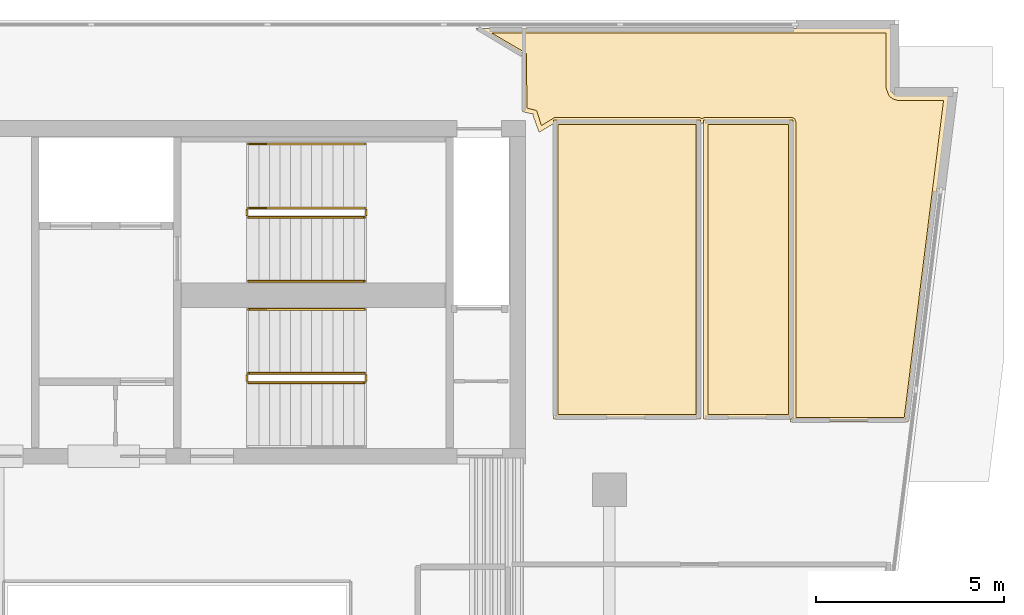
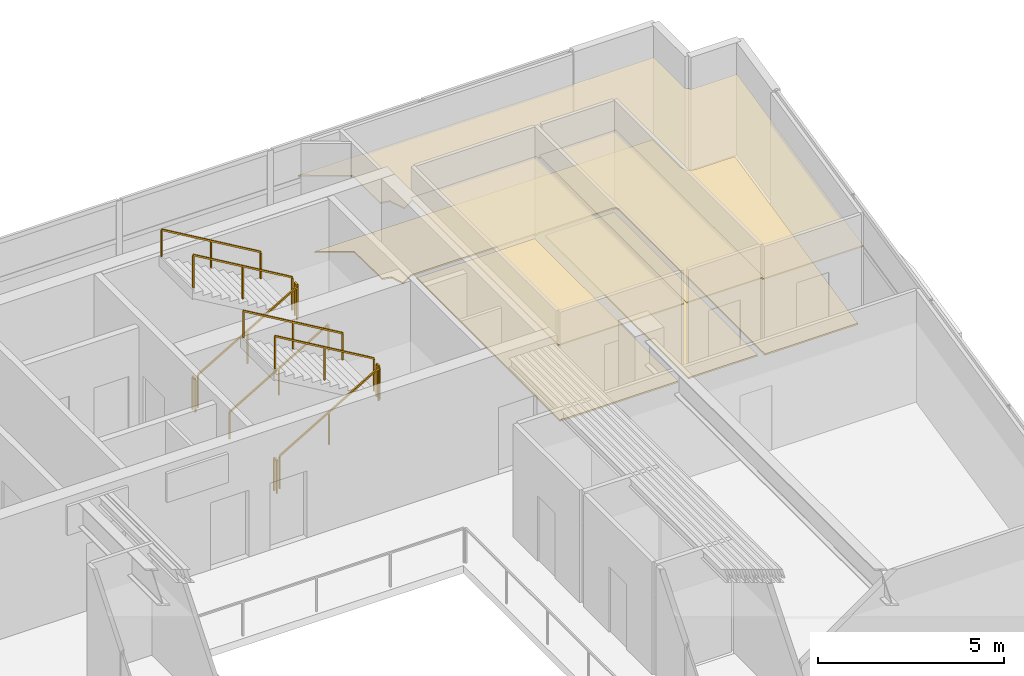
# One storey, part 8 of 8: 11 railings, 6 coverings.
"""IFC4 building model written with IfcOpenShell, lengths in metres."""

from ifc_helpers import new_model, si_unit, direction, frame, origin, origin_2d, place, context, subcontext, project, spatial, polyline, rectangle, outline, extrude, material, layer, layer_set, type_object, element, save


model = new_model("IFC4")

# Units and contexts
model_context = context("Model", 3, precision=1e-05, world=origin(), true_north=direction((0.0, 1.0)))
body_context = subcontext(model_context, "Body", "Model", "MODEL_VIEW")
ifc_project = project(units=[si_unit("LENGTHUNIT", "METRE"), si_unit("AREAUNIT", "SQUARE_METRE"), si_unit("VOLUMEUNIT", "CUBIC_METRE"), si_unit("PLANEANGLEUNIT", "RADIAN"), si_unit("MASSUNIT", "GRAM", prefix="KILO")], contexts=[model_context])

# Site, building, storey
site_placement = place(None, origin())
site = spatial("IfcSite", under=ifc_project, at=site_placement, CompositionType="ELEMENT")
building_placement = place(site_placement, origin())
building = spatial("IfcBuilding", under=site, at=building_placement, Name="Caeloran Harvest Quay", CompositionType="ELEMENT")
storey_placement = place(building_placement, frame((0.0, 0.0, 256.699951171875)))
storey = spatial("IfcBuildingStorey", under=building, at=storey_placement, Name="L61", CompositionType="ELEMENT", Elevation=256.699951171875)

# Coverings
ifc_material_1 = material(Name="Perforated Mineral-Fibre Acoustic Ceiling Tile", Category="ceiling")
ifc_layer_1 = layer(ifc_material_1, 0.0400390625, Name="Perforated Mineral-Fibre Acoustic Ceiling Tile")
ifc_layer_set_1 = layer_set([ifc_layer_1], Name="Perforated Mineral-Fibre Acoustic Ceiling Tile")
covering_type_1 = type_object("IfcCoveringType", Name="COV-CEILING-ACOUSTIC", PredefinedType="CEILING", material=ifc_layer_set_1)
covering_1_placement = place(storey_placement, frame((0.0, 0.0, 2.60009765625)))
element("IfcCovering", 1, at=covering_1_placement, inside=storey, type_object=covering_type_1, Name="L61 Crop Phenotyping West Laboratory Acoustic Ceiling", PredefinedType="CEILING", context=body_context, shape_type="SweptSolid", body=[
    extrude(outline(polyline([(27.919921875, 40.840087890625), (27.919921875, 32.8798828125), (24.010009765625, 32.8798828125), (24.010009765625, 40.840087890625), (27.919921875, 40.840087890625)])), origin(), (0.0, 0.0, 1.0), 0.0400390625),
])
covering_2_placement = place(storey_placement, frame((0.0, 0.0, 2.60009765625)))
element("IfcCovering", 2, at=covering_2_placement, inside=storey, type_object=covering_type_1, Name="L61 Genomics Sequencing East Studio Acoustic Ceiling", PredefinedType="CEILING", context=body_context, shape_type="SweptSolid", body=[
    extrude(outline(polyline([(30.389892578125, 40.840087890625), (30.389892578125, 32.8798828125), (28.0, 32.8798828125), (28.0, 40.840087890625), (30.389892578125, 40.840087890625)])), origin(), (0.0, 0.0, 1.0), 0.0400390625),
])
covering_3_placement = place(storey_placement, frame((0.0, 0.0, 2.60009765625)))
element("IfcCovering", 3, at=covering_3_placement, inside=storey, type_object=covering_type_1, Name="Private Dining Kitchen Acoustic Ceiling", PredefinedType="CEILING", context=body_context, shape_type="SweptSolid", body=[
    extrude(outline(polyline([(23.18994140625, 42.5400390625), (23.158203125, 42.5400390625), (21.923583984375, 43.280029296875), (32.97998046875, 43.280029296875), (32.97998046875, 41.700927734375), (32.989501953125, 41.63623046875), (33.030029296875, 41.560546875), (33.09619140625, 41.506103515625), (33.178466796875, 41.481201171875), (34.527587890625, 41.47998046875), (33.451416015625, 32.81005859375), (30.320068359375, 32.81005859375), (30.320068359375, 32.919921875), (30.340087890625, 32.927001953125), (30.340087890625, 40.7900390625), (28.049560546875, 40.7900390625), (28.048583984375, 40.771240234375), (27.9599609375, 40.7490234375), (27.8740234375, 40.7705078125), (27.871337890625, 40.7900390625), (24.06005859375, 40.7900390625), (24.06005859375, 40.77099609375), (23.62939453125, 40.512939453125), (23.469970703125, 40.958740234375), (23.469970703125, 41.010009765625), (23.396240234375, 41.010009765625), (23.18994140625, 41.061767578125), (23.18994140625, 42.5400390625)])), origin(), (0.0, 0.0, 1.0), 0.0400390625),
])
ifc_material_2 = material(Name="Calcium-Sulphate Raised Access Floor and Terrazzo Finish", Category="flooring")
ifc_layer_2 = layer(ifc_material_2, 0.050048828125, Name="Calcium-Sulphate Raised Access Floor and Terrazzo Finish")
ifc_layer_set_2 = layer_set([ifc_layer_2], Name="Calcium-Sulphate Raised Access Floor and Terrazzo Finish")
covering_type_2 = type_object("IfcCoveringType", Name="COV-FLOOR-RAISED", PredefinedType="FLOORING", material=ifc_layer_set_2)
covering_4_placement = place(storey_placement, origin())
element("IfcCovering", 4, at=covering_4_placement, inside=storey, type_object=covering_type_2, Name="L61 Crop Phenotyping West Laboratory Raised Finish Flooring", PredefinedType="FLOORING", context=body_context, shape_type="SweptSolid", body=[
    extrude(outline(polyline([(27.800048828125, 40.719970703125), (27.800048828125, 33.0), (24.1298828125, 33.0), (24.1298828125, 40.719970703125), (27.800048828125, 40.719970703125)])), origin(), (0.0, 0.0, 1.0), 0.050048828125),
])
covering_5_placement = place(storey_placement, origin())
element("IfcCovering", 5, at=covering_5_placement, inside=storey, type_object=covering_type_2, Name="L61 Genomics Sequencing East Studio Raised Finish Flooring", PredefinedType="FLOORING", context=body_context, shape_type="SweptSolid", body=[
    extrude(outline(polyline([(30.27001953125, 40.719970703125), (30.27001953125, 33.0), (28.1201171875, 33.0), (28.1201171875, 40.719970703125), (30.27001953125, 40.719970703125)])), origin(), (0.0, 0.0, 1.0), 0.050048828125),
])
covering_6_placement = place(storey_placement, origin())
element("IfcCovering", 6, at=covering_6_placement, inside=storey, type_object=covering_type_2, Name="Private Dining Kitchen Raised Finish Flooring", PredefinedType="FLOORING", context=body_context, shape_type="SweptSolid", body=[
    extrude(outline(polyline([(24.050048828125, 40.909912109375), (23.693115234375, 40.691162109375), (23.5625, 41.0927734375), (23.31005859375, 41.1552734375), (23.289306640625, 42.6142578125), (22.357421875, 43.159912109375), (32.860107421875, 43.159912109375), (32.860107421875, 41.696044921875), (32.939697265625, 41.481201171875), (33.043212890625, 41.3984375), (33.170654296875, 41.361328125), (34.391845703125, 41.360107421875), (33.34521484375, 32.929931640625), (30.4599609375, 32.929931640625), (30.4599609375, 40.800048828125), (30.4228515625, 40.882568359375), (30.35009765625, 40.909912109375), (28.0400390625, 40.909912109375), (27.9599609375, 40.87548828125), (27.8798828125, 40.909912109375), (24.050048828125, 40.909912109375)])), origin(), (0.0, 0.0, 1.0), 0.050048828125),
])

# Railings
ifc_material_3 = material(Name="Painted Steel Baluster and Top-Rail Stair Guard", Category="steel")
ifc_layer_3 = layer(ifc_material_3, 0.050048828125, Name="Painted Steel Baluster and Top-Rail Stair Guard")
ifc_layer_set_3 = layer_set([ifc_layer_3], Name="Painted Steel Baluster and Top-Rail Stair Guard")
railing_type_1 = type_object("IfcRailingType", Name="STAIR-GUARD-1100", PredefinedType="GUARDRAIL", material=ifc_layer_set_3)
railing_1_placement = place(storey_placement, frame((15.89990234375, 38.25, 0.16455078125)))
element("IfcRailing", 7, at=railing_1_placement, inside=storey, type_object=railing_type_1, Name="L61 ST-C1 stair guard 1", PredefinedType="GUARDRAIL", context=body_context, shape_type="SweptSolid", body=[
    extrude(rectangle(XDim=0.048095703125, YDim=0.048095703125, at=origin_2d()), frame((0.0, 0.0, 1.076171875), z_axis=(0.862088758681, 0.0, 0.506757310905), x_axis=(0.0, 1.0, 0.0)), (0.0, 0.0, 1.0), 3.57275390625),
    extrude(rectangle(XDim=0.0419921875, YDim=0.0419921875, at=origin_2d()), origin(), (0.0, 0.0, 1.0), 1.052001953125),
    extrude(rectangle(XDim=0.0419921875, YDim=0.0419921875, at=origin_2d()), frame((1.5400390625, 0.0, 0.9052734375)), (0.0, 0.0, 1.0), 1.052001953125),
    extrude(rectangle(XDim=0.0419921875, YDim=0.0419921875, at=origin_2d()), frame((3.080078125, 0.0, 1.810546875)), (0.0, 0.0, 1.0), 1.052001953125),
])
railing_2_placement = place(storey_placement, frame((19.030029296875, 38.300048828125, 1.97509765625)))
element("IfcRailing", 8, at=railing_2_placement, inside=storey, type_object=railing_type_1, Name="L61 ST-C1 stair guard 2", PredefinedType="GUARDRAIL", context=body_context, shape_type="SweptSolid", body=[
    extrude(rectangle(XDim=0.048095703125, YDim=0.048095703125, at=origin_2d()), frame((0.0, 0.0, 1.076171875), z_axis=(0.0, 1.0, 0.0), x_axis=(-1.0, 0.0, 0.0)), (0.0, 0.0, 1.0), 0.14990234375),
    extrude(rectangle(XDim=0.0419921875, YDim=0.0419921875, at=origin_2d()), origin(), (0.0, 0.0, 1.0), 1.052001953125),
    extrude(rectangle(XDim=0.0419921875, YDim=0.0419921875, at=origin_2d()), frame((0.0, 0.14990234375, 0.0)), (0.0, 0.0, 1.0), 1.052001953125),
])
railing_3_placement = place(storey_placement, frame((18.97998046875, 38.5, 2.1396484375)))
element("IfcRailing", 9, at=railing_3_placement, inside=storey, type_object=railing_type_1, Name="L61 ST-C1 stair guard 3", PredefinedType="GUARDRAIL", context=body_context, shape_type="SweptSolid", body=[
    extrude(rectangle(XDim=0.048095703125, YDim=0.048095703125, at=origin_2d()), frame((0.0, 0.0, 1.076171875), z_axis=(-0.862118610829, 0.0, 0.506706523406), x_axis=(0.0, -1.0, 0.0)), (0.0, 0.0, 1.0), 3.57275390625),
    extrude(rectangle(XDim=0.0419921875, YDim=0.0419921875, at=origin_2d()), origin(), (0.0, 0.0, 1.0), 1.052001953125),
    extrude(rectangle(XDim=0.0419921875, YDim=0.0419921875, at=origin_2d()), frame((-1.5400390625, 0.0, 0.9052734375)), (0.0, 0.0, 1.0), 1.052001953125),
    extrude(rectangle(XDim=0.0419921875, YDim=0.0419921875, at=origin_2d()), frame((-3.080078125, 0.0, 1.810302734375)), (0.0, 0.0, 1.0), 1.052001953125),
])
railing_4_placement = place(storey_placement, frame((15.85009765625, 38.300048828125, 0.0)))
element("IfcRailing", 10, at=railing_4_placement, inside=storey, type_object=railing_type_1, Name="L61 ST-C1 stair guard 4", PredefinedType="GUARDRAIL", context=body_context, shape_type="SweptSolid", body=[
    extrude(rectangle(XDim=0.048095703125, YDim=0.048095703125, at=origin_2d()), frame((0.0, 0.0, 1.076171875), z_axis=(0.0, 1.0, 0.0), x_axis=(-1.0, 0.0, 0.0)), (0.0, 0.0, 1.0), 0.14990234375),
    extrude(rectangle(XDim=0.0419921875, YDim=0.0419921875, at=origin_2d()), origin(), (0.0, 0.0, 1.0), 1.052001953125),
    extrude(rectangle(XDim=0.0419921875, YDim=0.0419921875, at=origin_2d()), frame((0.0, 0.14990234375, 0.0)), (0.0, 0.0, 1.0), 1.052001953125),
])
railing_5_placement = place(storey_placement, frame((15.89990234375, 33.85009765625, 0.16455078125)))
element("IfcRailing", 11, at=railing_5_placement, inside=storey, type_object=railing_type_1, Name="L61 ST-C2 stair guard 1", PredefinedType="GUARDRAIL", context=body_context, shape_type="SweptSolid", body=[
    extrude(rectangle(XDim=0.048095703125, YDim=0.048095703125, at=origin_2d()), frame((0.0, 0.0, 1.076171875), z_axis=(0.862088758681, 0.0, 0.506757310905), x_axis=(0.0, 1.0, 0.0)), (0.0, 0.0, 1.0), 3.57275390625),
    extrude(rectangle(XDim=0.0419921875, YDim=0.0419921875, at=origin_2d()), origin(), (0.0, 0.0, 1.0), 1.052001953125),
    extrude(rectangle(XDim=0.0419921875, YDim=0.0419921875, at=origin_2d()), frame((1.5400390625, 0.0, 0.9052734375)), (0.0, 0.0, 1.0), 1.052001953125),
    extrude(rectangle(XDim=0.0419921875, YDim=0.0419921875, at=origin_2d()), frame((3.080078125, 0.0, 1.810546875)), (0.0, 0.0, 1.0), 1.052001953125),
])
railing_6_placement = place(storey_placement, frame((19.030029296875, 33.89990234375, 1.97509765625)))
element("IfcRailing", 12, at=railing_6_placement, inside=storey, type_object=railing_type_1, Name="L61 ST-C2 stair guard 2", PredefinedType="GUARDRAIL", context=body_context, shape_type="SweptSolid", body=[
    extrude(rectangle(XDim=0.048095703125, YDim=0.048095703125, at=origin_2d()), frame((0.0, 0.0, 1.076171875), z_axis=(0.0, 1.0, 0.0), x_axis=(-1.0, 0.0, 0.0)), (0.0, 0.0, 1.0), 0.150146484375),
    extrude(rectangle(XDim=0.0419921875, YDim=0.0419921875, at=origin_2d()), origin(), (0.0, 0.0, 1.0), 1.052001953125),
    extrude(rectangle(XDim=0.0419921875, YDim=0.0419921875, at=origin_2d()), frame((0.0, 0.150146484375, 0.0)), (0.0, 0.0, 1.0), 1.052001953125),
])
railing_7_placement = place(storey_placement, frame((18.97998046875, 34.10009765625, 2.1396484375)))
element("IfcRailing", 13, at=railing_7_placement, inside=storey, type_object=railing_type_1, Name="L61 ST-C2 stair guard 3", PredefinedType="GUARDRAIL", context=body_context, shape_type="SweptSolid", body=[
    extrude(rectangle(XDim=0.048095703125, YDim=0.048095703125, at=origin_2d()), frame((0.0, 0.0, 1.076171875), z_axis=(-0.862118610829, 0.0, 0.506706523406), x_axis=(0.0, -1.0, 0.0)), (0.0, 0.0, 1.0), 3.57275390625),
    extrude(rectangle(XDim=0.0419921875, YDim=0.0419921875, at=origin_2d()), origin(), (0.0, 0.0, 1.0), 1.052001953125),
    extrude(rectangle(XDim=0.0419921875, YDim=0.0419921875, at=origin_2d()), frame((-1.5400390625, 0.0, 0.9052734375)), (0.0, 0.0, 1.0), 1.052001953125),
    extrude(rectangle(XDim=0.0419921875, YDim=0.0419921875, at=origin_2d()), frame((-3.080078125, 0.0, 1.810302734375)), (0.0, 0.0, 1.0), 1.052001953125),
])
railing_8_placement = place(storey_placement, frame((15.85009765625, 33.89990234375, 0.0)))
element("IfcRailing", 14, at=railing_8_placement, inside=storey, type_object=railing_type_1, Name="L61 ST-C2 stair guard 4", PredefinedType="GUARDRAIL", context=body_context, shape_type="SweptSolid", body=[
    extrude(rectangle(XDim=0.048095703125, YDim=0.048095703125, at=origin_2d()), frame((0.0, 0.0, 1.076171875), z_axis=(0.0, 1.0, 0.0), x_axis=(-1.0, 0.0, 0.0)), (0.0, 0.0, 1.0), 0.150146484375),
    extrude(rectangle(XDim=0.0419921875, YDim=0.0419921875, at=origin_2d()), origin(), (0.0, 0.0, 1.0), 1.052001953125),
    extrude(rectangle(XDim=0.0419921875, YDim=0.0419921875, at=origin_2d()), frame((0.0, 0.150146484375, 0.0)), (0.0, 0.0, 1.0), 1.052001953125),
])
ifc_material_4 = material(Name="Brushed Stainless Steel Grade 304", Category="steel")
ifc_layer_4 = layer(ifc_material_4, 0.050048828125, Name="Brushed Stainless Steel Grade 304")
ifc_layer_set_4 = layer_set([ifc_layer_4], Name="Brushed Stainless Steel Grade 304")
railing_type_2 = type_object("IfcRailingType", Name="STAIR-HANDRAIL-900", PredefinedType="HANDRAIL", material=ifc_layer_set_4)
railing_9_placement = place(storey_placement, frame((15.89990234375, 36.550048828125, 0.16455078125)))
element("IfcRailing", 15, at=railing_9_placement, inside=storey, type_object=railing_type_2, Name="L61 ST-C1 stair handrail 1", PredefinedType="HANDRAIL", context=body_context, shape_type="SweptSolid", body=[
    extrude(rectangle(XDim=0.048095703125, YDim=0.048095703125, at=origin_2d()), frame((0.0, 0.0, 0.8759765625), z_axis=(0.862088758681, 0.0, 0.506757310905), x_axis=(0.0, 1.0, 0.0)), (0.0, 0.0, 1.0), 3.57275390625),
    extrude(rectangle(XDim=0.0419921875, YDim=0.0419921875, at=origin_2d()), origin(), (0.0, 0.0, 1.0), 0.851806640625),
    extrude(rectangle(XDim=0.0419921875, YDim=0.0419921875, at=origin_2d()), frame((1.5400390625, 0.0, 0.9052734375)), (0.0, 0.0, 1.0), 0.851806640625),
    extrude(rectangle(XDim=0.0419921875, YDim=0.0419921875, at=origin_2d()), frame((3.080078125, 0.0, 1.810546875)), (0.0, 0.0, 1.0), 0.851806640625),
])
for number, where, name in (
    (16, (18.97998046875, 40.199951171875, 2.1396484375), "L61 ST-C1 stair handrail 2"),
    (17, (18.97998046875, 35.800048828125, 2.1396484375), "L61 ST-C2 stair handrail 2"),
):
    element("IfcRailing", number, at=place(storey_placement, frame(where)), inside=storey, type_object=railing_type_2, Name=name, PredefinedType="HANDRAIL", context=body_context, shape_type="SweptSolid", body=[
        extrude(rectangle(XDim=0.048095703125, YDim=0.048095703125, at=origin_2d()), frame((0.0, 0.0, 0.8759765625), z_axis=(-0.862118610829, 0.0, 0.506706523406), x_axis=(0.0, -1.0, 0.0)), (0.0, 0.0, 1.0), 3.57275390625),
        extrude(rectangle(XDim=0.0419921875, YDim=0.0419921875, at=origin_2d()), origin(), (0.0, 0.0, 1.0), 0.851806640625),
        extrude(rectangle(XDim=0.0419921875, YDim=0.0419921875, at=origin_2d()), frame((-1.5400390625, 0.0, 0.9052734375)), (0.0, 0.0, 1.0), 0.851806640625),
        extrude(rectangle(XDim=0.0419921875, YDim=0.0419921875, at=origin_2d()), frame((-3.080078125, 0.0, 1.810302734375)), (0.0, 0.0, 1.0), 0.851806640625),
    ])

save(model, "model.ifc")
